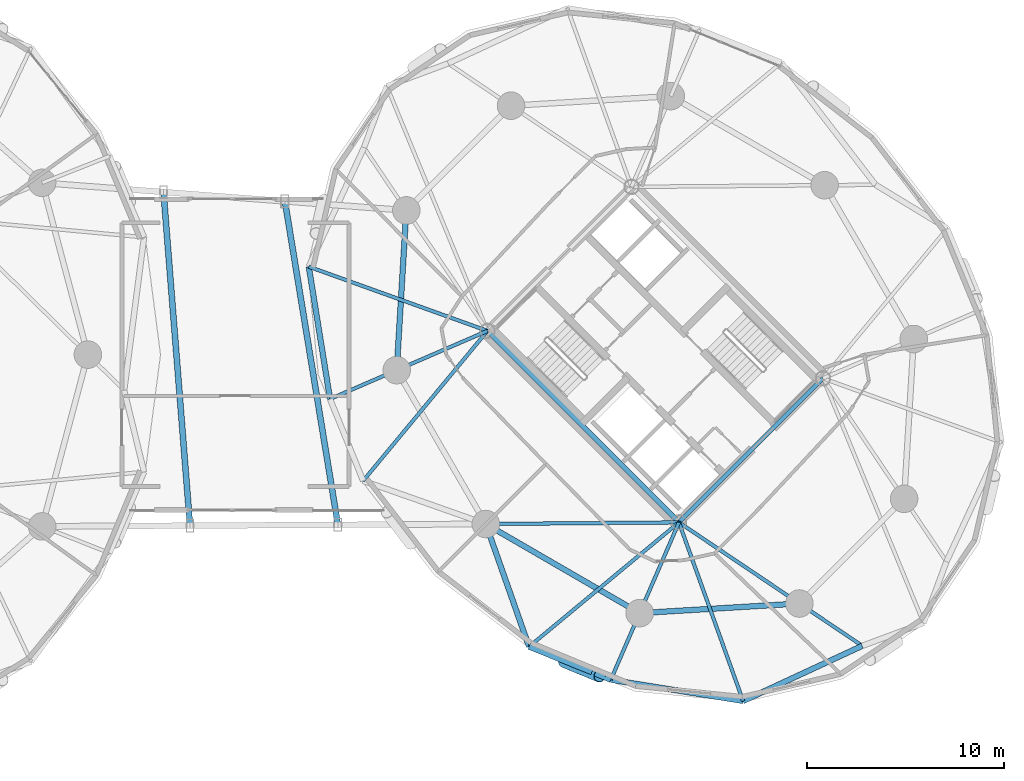
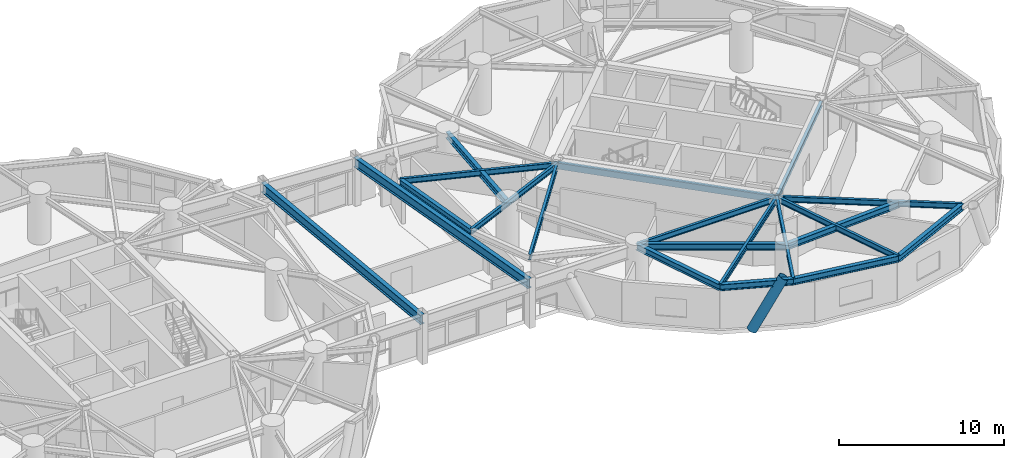
# One storey, part 5 of 19: 20 beams, 1 member.
"""IFC4 building model written with IfcOpenShell, lengths in metres."""

from ifc_helpers import new_model, si_unit, direction, frame, origin, origin_2d, place, context, subcontext, project, spatial, hollow_rectangle, hollow_circle, i_section, extrude, material, material_profile, profile_set, type_object, element, save


model = new_model("IFC4")

# Units and contexts
model_context = context("Model", 3, precision=1e-05, world=origin(), true_north=direction((0.0, 1.0)))
body_context = subcontext(model_context, "Body", "Model", "MODEL_VIEW")
ifc_project = project(units=[si_unit("LENGTHUNIT", "METRE"), si_unit("AREAUNIT", "SQUARE_METRE"), si_unit("VOLUMEUNIT", "CUBIC_METRE"), si_unit("PLANEANGLEUNIT", "RADIAN"), si_unit("MASSUNIT", "GRAM", prefix="KILO")], contexts=[model_context])

# Site, building, storey
site_placement = place(None, origin())
site = spatial("IfcSite", under=ifc_project, at=site_placement, CompositionType="ELEMENT")
building_placement = place(site_placement, origin())
building = spatial("IfcBuilding", under=site, at=building_placement, Name="Cununo Teusaquillo Station Towers", CompositionType="ELEMENT")
storey_placement = place(building_placement, frame((0.0, 0.0, 132.8798828125)))
storey = spatial("IfcBuildingStorey", under=building, at=storey_placement, Name="L42", CompositionType="ELEMENT", Elevation=132.8798828125)

# Beams
ifc_material_1 = material(Name="Steel EN 10025-2 S355J2", Category="steel")
ifc_material_profile_1 = material_profile(ifc_material_1, i_section(OverallWidth=0.300048828125, OverallDepth=0.699951171875, WebThickness=0.01708984375, FlangeThickness=0.031982421875, FilletRadius=0.027099609375, at=origin_2d()), Name="HEB 700")
ifc_profile_set_1 = profile_set([ifc_material_profile_1], Name="Steel EN 10025-2 S355J2")
beam_type_1 = type_object("IfcBeamType", Name="BM-BRG-FLR", PredefinedType="BEAM", material=ifc_profile_set_1)
beam_1_placement = place(storey_placement, frame((33.862548828125, 15.81201171875, 3.090087890625), z_axis=(-0.079188777853, 0.996859637794, 0.0), x_axis=(-0.996859637794, -0.079188777853, 0.0)))
element("IfcBeam", 1, at=beam_1_placement, inside=storey, type_object=beam_type_1, Name="L42 Mid-Bridge Transverse Floor Girder 1", PredefinedType="BEAM", context=body_context, shape_type="SweptSolid", body=[
    extrude(i_section(OverallWidth=0.300048828125, OverallDepth=0.699951171875, WebThickness=0.01708984375, FlangeThickness=0.031982421875, FilletRadius=0.027099609375, at=origin_2d()), origin(), (0.0, 0.0, 1.0), 17.0029296875),
])
beam_2_placement = place(storey_placement, frame((41.377685546875, 15.8525390625, 3.090087890625), z_axis=(-0.161629984279, 0.986851431666, 0.0), x_axis=(-0.986851431666, -0.161629984279, 0.0)))
element("IfcBeam", 2, at=beam_2_placement, inside=storey, type_object=beam_type_1, Name="L42 Mid-Bridge Transverse Floor Girder 2", PredefinedType="BEAM", context=body_context, shape_type="SweptSolid", body=[
    extrude(i_section(OverallWidth=0.300048828125, OverallDepth=0.699951171875, WebThickness=0.01708984375, FlangeThickness=0.031982421875, FilletRadius=0.027099609375, at=origin_2d()), origin(), (0.0, 0.0, 1.0), 16.66064453125),
])
ifc_material_2 = material(Name="Steel EN 10025-2 S355J2", Category="steel")
ifc_material_profile_2 = material_profile(ifc_material_2, hollow_rectangle(XDim=0.25, YDim=0.449951171875, WallThickness=0.01611328125, at=origin_2d()), Name="RHS 450x250x16")
ifc_profile_set_2 = profile_set([ifc_material_profile_2], Name="Steel EN 10025-2 S355J2")
beam_type_2 = type_object("IfcBeamType", Name="BM-COUP-1", PredefinedType="USERDEFINED", material=ifc_profile_set_2)
beam_3_placement = place(storey_placement, frame((58.70556640625, 15.975830078125, 3.215087890625), z_axis=(-0.707106781187, 0.707106781187, 0.0), x_axis=(-0.707106781187, -0.707106781187, 0.0)))
element("IfcBeam", 3, at=beam_3_placement, inside=storey, type_object=beam_type_2, Name="L42 Tower B Core Beam 1", ObjectType="COUPLING BEAM", PredefinedType="USERDEFINED", context=body_context, shape_type="SweptSolid", body=[
    extrude(hollow_rectangle(XDim=0.25, YDim=0.449951171875, WallThickness=0.01611328125, at=origin_2d()), origin(), (0.0, 0.0, 1.0), 13.760009765625),
])
ifc_material_3 = material(Name="Steel ASTM A572 Grade 50", Category="steel")
ifc_material_profile_3 = material_profile(ifc_material_3, i_section(OverallWidth=0.180908203125, OverallDepth=0.4169921875, WebThickness=0.010986328125, FlangeThickness=0.018310546875, FilletRadius=0.012939453125, at=origin_2d()), Name="W16X57")
ifc_profile_set_3 = profile_set([ifc_material_profile_3], Name="Steel ASTM A572 Grade 50")
beam_type_3 = type_object("IfcBeamType", Name="BM-JOIST-1", PredefinedType="JOIST", material=ifc_profile_set_3)
beam_4_placement = place(storey_placement, frame((48.975830078125, 25.70556640625, 3.231689453125), z_axis=(-0.941082771055, 0.338176312038, 0.0), x_axis=(-0.338176312038, -0.941082771055, 0.0)))
element("IfcBeam", 4, at=beam_4_placement, inside=storey, type_object=beam_type_3, Name="L42 Tower B Radial Spandrel Joist V07", PredefinedType="JOIST", context=body_context, shape_type="SweptSolid", body=[
    extrude(i_section(OverallWidth=0.180908203125, OverallDepth=0.4169921875, WebThickness=0.010986328125, FlangeThickness=0.018310546875, FilletRadius=0.012939453125, at=origin_2d()), origin(), (0.0, 0.0, 1.0), 9.646484375),
])
for number, where, z_axis, x_axis, name in (
    (5, (48.975830078125, 25.70556640625, 3.231689453125), (-0.638372238196, -0.769727799615, 0.0), (0.769727799615, -0.638372238196, 0.0), "L42 Tower B Radial Spandrel Joist V09"),
    (6, (58.70556640625, 15.975830078125, 3.231689453125), (-0.769727799615, -0.638372238196, 0.0), (0.638372238196, -0.769727799615, 0.0), "L42 Tower B Radial Spandrel Joist V11"),
):
    element("IfcBeam", number, at=place(storey_placement, frame(where, z_axis=z_axis, x_axis=x_axis)), inside=storey, type_object=beam_type_3, Name=name, PredefinedType="JOIST", context=body_context, shape_type="SweptSolid", body=[
        extrude(i_section(OverallWidth=0.180908203125, OverallDepth=0.4169921875, WebThickness=0.010986328125, FlangeThickness=0.018310546875, FilletRadius=0.012939453125, at=origin_2d()), origin(), (0.0, 0.0, 1.0), 9.895263671875),
    ])
beam_5_placement = place(storey_placement, frame((58.70556640625, 15.975830078125, 3.231689453125), z_axis=(0.338176312038, -0.941082771055, 0.0), x_axis=(0.941082771055, 0.338176312038, 0.0)))
element("IfcBeam", 7, at=beam_5_placement, inside=storey, type_object=beam_type_3, Name="L42 Tower B Radial Spandrel Joist V13", PredefinedType="JOIST", context=body_context, shape_type="SweptSolid", body=[
    extrude(i_section(OverallWidth=0.180908203125, OverallDepth=0.4169921875, WebThickness=0.010986328125, FlangeThickness=0.018310546875, FilletRadius=0.012939453125, at=origin_2d()), origin(), (0.0, 0.0, 1.0), 9.646484375),
])
ifc_material_4 = material(Name="Steel ASTM A572 Grade 50", Category="steel")
ifc_material_profile_4 = material_profile(ifc_material_4, i_section(OverallWidth=0.2041015625, OverallDepth=0.35009765625, WebThickness=0.008544921875, FlangeThickness=0.01513671875, FilletRadius=0.011962890625, at=origin_2d()), Name="W14X48")
ifc_profile_set_4 = profile_set([ifc_material_profile_4], Name="Steel ASTM A572 Grade 50")
beam_type_4 = type_object("IfcBeamType", Name="BM-LINTEL-1", PredefinedType="LINTEL", material=ifc_profile_set_4)
beam_6_placement = place(storey_placement, frame((58.70556640625, 15.975830078125, 3.26513671875), z_axis=(0.707106781187, 0.707106781187, 0.0), x_axis=(-0.707106781187, 0.707106781187, 0.0)))
element("IfcBeam", 8, at=beam_6_placement, inside=storey, type_object=beam_type_4, Name="L42 Tower B Core Beam 3", PredefinedType="LINTEL", context=body_context, shape_type="SweptSolid", body=[
    extrude(i_section(OverallWidth=0.2041015625, OverallDepth=0.35009765625, WebThickness=0.008544921875, FlangeThickness=0.01513671875, FilletRadius=0.011962890625, at=origin_2d()), origin(), (0.0, 0.0, 1.0), 10.35009765625),
])
ifc_material_5 = material(Name="Steel ASTM A572 Grade 50", Category="steel")
ifc_material_profile_5 = material_profile(ifc_material_5, i_section(OverallWidth=0.180908203125, OverallDepth=0.4169921875, WebThickness=0.010986328125, FlangeThickness=0.018310546875, FilletRadius=0.012939453125, at=origin_2d()), Name="W16X57")
ifc_profile_set_5 = profile_set([ifc_material_profile_5], Name="Steel ASTM A572 Grade 50")
beam_type_5 = type_object("IfcBeamType", Name="BM-RAD-G2", PredefinedType="BEAM", material=ifc_profile_set_5)
beam_7_placement = place(storey_placement, frame((48.975830078125, 25.70556640625, 3.231689453125), z_axis=(-0.917654733344, -0.397378648609, 0.0), x_axis=(0.397378648609, -0.917654733344, 0.0)))
element("IfcBeam", 9, at=beam_7_placement, inside=storey, type_object=beam_type_5, Name="L42 Tower B Continuous Overhanging Radial Girder 05", PredefinedType="BEAM", context=body_context, shape_type="SweptSolid", body=[
    extrude(i_section(OverallWidth=0.180908203125, OverallDepth=0.4169921875, WebThickness=0.010986328125, FlangeThickness=0.018310546875, FilletRadius=0.012939453125, at=origin_2d()), origin(), (0.0, 0.0, 1.0), 8.71484375),
])
beam_8_placement = place(storey_placement, frame((58.70556640625, 15.975830078125, 3.231689453125), z_axis=(-0.999964431382, -0.008434214327, 0.0), x_axis=(0.008434214327, -0.999964431382, 0.0)))
element("IfcBeam", 10, at=beam_8_placement, inside=storey, type_object=beam_type_5, Name="L42 Tower B Radial Girder 06A", PredefinedType="BEAM", context=body_context, shape_type="SweptSolid", body=[
    extrude(i_section(OverallWidth=0.180908203125, OverallDepth=0.4169921875, WebThickness=0.010986328125, FlangeThickness=0.018310546875, FilletRadius=0.012939453125, at=origin_2d()), origin(), (0.0, 0.0, 1.0), 9.812744140625),
])
beam_9_placement = place(storey_placement, frame((58.70556640625, 15.975830078125, 3.231689453125), z_axis=(-0.397378648609, -0.917654733344, 0.0), x_axis=(0.917654733344, -0.397378648609, 0.0)))
element("IfcBeam", 11, at=beam_9_placement, inside=storey, type_object=beam_type_5, Name="L42 Tower B Continuous Overhanging Radial Girder 07", PredefinedType="BEAM", context=body_context, shape_type="SweptSolid", body=[
    extrude(i_section(OverallWidth=0.180908203125, OverallDepth=0.4169921875, WebThickness=0.010986328125, FlangeThickness=0.018310546875, FilletRadius=0.012939453125, at=origin_2d()), origin(), (0.0, 0.0, 1.0), 8.71484375),
])
beam_10_placement = place(storey_placement, frame((58.70556640625, 15.975830078125, 3.231689453125), z_axis=(0.82945583878, -0.558572297481, 0.0), x_axis=(0.558572297481, 0.82945583878, 0.0)))
element("IfcBeam", 12, at=beam_10_placement, inside=storey, type_object=beam_type_5, Name="L42 Tower B Continuous Overhanging Radial Girder 08", PredefinedType="BEAM", context=body_context, shape_type="SweptSolid", body=[
    extrude(i_section(OverallWidth=0.180908203125, OverallDepth=0.4169921875, WebThickness=0.010986328125, FlangeThickness=0.018310546875, FilletRadius=0.012939453125, at=origin_2d()), origin(), (0.0, 0.0, 1.0), 11.22998046875),
])
ifc_material_6 = material(Name="Steel ASTM A572 Grade 50", Category="steel")
ifc_material_profile_6 = material_profile(ifc_material_6, i_section(OverallWidth=0.280029296875, OverallDepth=0.462890625, WebThickness=0.0107421875, FlangeThickness=0.017333984375, FilletRadius=0.013916015625, at=origin_2d()), Name="W18X76")
ifc_profile_set_6 = profile_set([ifc_material_profile_6], Name="Steel ASTM A572 Grade 50")
beam_type_6 = type_object("IfcBeamType", Name="BM-RING-Z2", PredefinedType="SPANDREL", material=ifc_profile_set_6)
beam_11_placement = place(storey_placement, frame((44.853759765625, 31.826904296875, 3.20849609375), z_axis=(-0.06012979176, -0.998190567048, 0.0), x_axis=(0.998190567048, -0.06012979176, 0.0)))
element("IfcBeam", 13, at=beam_11_placement, inside=storey, type_object=beam_type_6, Name="L42 Tower B Structural Column Ring Girder 04", PredefinedType="SPANDREL", context=body_context, shape_type="SweptSolid", body=[
    extrude(i_section(OverallWidth=0.280029296875, OverallDepth=0.462890625, WebThickness=0.0107421875, FlangeThickness=0.017333984375, FilletRadius=0.013916015625, at=origin_2d()), origin(), (0.0, 0.0, 1.0), 8.132568359375),
])
beam_12_placement = place(storey_placement, frame((48.89306640625, 15.89306640625, 3.20849609375), z_axis=(0.865267103202, -0.501311121078, 0.0), x_axis=(0.501311121078, 0.865267103202, 0.0)))
element("IfcBeam", 14, at=beam_12_placement, inside=storey, type_object=beam_type_6, Name="L42 Tower B Structural Column Ring Girder 06", PredefinedType="SPANDREL", context=body_context, shape_type="SweptSolid", body=[
    extrude(i_section(OverallWidth=0.280029296875, OverallDepth=0.462890625, WebThickness=0.0107421875, FlangeThickness=0.017333984375, FilletRadius=0.013916015625, at=origin_2d()), origin(), (0.0, 0.0, 1.0), 9.032958984375),
])
beam_13_placement = place(storey_placement, frame((56.708984375, 11.36474609375, 3.20849609375), z_axis=(0.998190567048, 0.06012979176, 0.0), x_axis=(-0.06012979176, 0.998190567048, 0.0)))
element("IfcBeam", 15, at=beam_13_placement, inside=storey, type_object=beam_type_6, Name="L42 Tower B Structural Column Ring Girder 07", PredefinedType="SPANDREL", context=body_context, shape_type="SweptSolid", body=[
    extrude(i_section(OverallWidth=0.280029296875, OverallDepth=0.462890625, WebThickness=0.0107421875, FlangeThickness=0.017333984375, FilletRadius=0.013916015625, at=origin_2d()), origin(), (0.0, 0.0, 1.0), 8.132568359375),
])
beam_14_placement = place(storey_placement, frame((39.897705078125, 28.9677734375, 3.20849609375), z_axis=(0.158671232312, -0.987331474246, 0.0), x_axis=(0.987331474246, 0.158671232312, 0.0)))
element("IfcBeam", 16, at=beam_14_placement, inside=storey, type_object=beam_type_6, Name="L42 Tower B Spandrel Ring Beam 08", PredefinedType="SPANDREL", context=body_context, shape_type="SweptSolid", body=[
    extrude(i_section(OverallWidth=0.280029296875, OverallDepth=0.462890625, WebThickness=0.0107421875, FlangeThickness=0.017333984375, FilletRadius=0.013916015625, at=origin_2d()), origin(), (0.0, 0.0, 1.0), 6.8115234375),
])
beam_15_placement = place(storey_placement, frame((48.89306640625, 15.89306640625, 3.20849609375), z_axis=(0.332217227276, -0.943202901767, 0.0), x_axis=(0.943202901767, 0.332217227276, 0.0)))
element("IfcBeam", 17, at=beam_15_placement, inside=storey, type_object=beam_type_6, Name="L42 Tower B Spandrel Ring Beam 11", PredefinedType="SPANDREL", context=body_context, shape_type="SweptSolid", body=[
    extrude(i_section(OverallWidth=0.280029296875, OverallDepth=0.462890625, WebThickness=0.0107421875, FlangeThickness=0.017333984375, FilletRadius=0.013916015625, at=origin_2d()), origin(), (0.0, 0.0, 1.0), 6.609619140625),
])
beam_16_placement = place(storey_placement, frame((51.0888671875, 9.658935546875, 3.20849609375), z_axis=(0.927007712072, -0.375042266631, 0.0), x_axis=(0.375042266631, 0.927007712072, 0.0)))
element("IfcBeam", 18, at=beam_16_placement, inside=storey, type_object=beam_type_6, Name="L42 Tower B Spandrel Ring Beam 12", PredefinedType="SPANDREL", context=body_context, shape_type="SweptSolid", body=[
    extrude(i_section(OverallWidth=0.280029296875, OverallDepth=0.462890625, WebThickness=0.0107421875, FlangeThickness=0.017333984375, FilletRadius=0.013916015625, at=origin_2d()), origin(), (0.0, 0.0, 1.0), 4.480712890625),
])
beam_17_placement = place(storey_placement, frame((55.242431640625, 7.978515625, 3.20849609375), z_axis=(0.987331474246, -0.158671232312, 0.0), x_axis=(0.158671232312, 0.987331474246, 0.0)))
element("IfcBeam", 19, at=beam_17_placement, inside=storey, type_object=beam_type_6, Name="L42 Tower B Spandrel Ring Beam 13", PredefinedType="SPANDREL", context=body_context, shape_type="SweptSolid", body=[
    extrude(i_section(OverallWidth=0.280029296875, OverallDepth=0.462890625, WebThickness=0.0107421875, FlangeThickness=0.017333984375, FilletRadius=0.013916015625, at=origin_2d()), origin(), (0.0, 0.0, 1.0), 6.8115234375),
])
beam_18_placement = place(storey_placement, frame((61.9677734375, 6.897705078125, 3.20849609375), z_axis=(0.907275870354, 0.420535961689, 0.0), x_axis=(-0.420535961689, 0.907275870354, 0.0)))
element("IfcBeam", 20, at=beam_18_placement, inside=storey, type_object=beam_type_6, Name="L42 Tower B Spandrel Ring Beam 14", PredefinedType="SPANDREL", context=body_context, shape_type="SweptSolid", body=[
    extrude(i_section(OverallWidth=0.280029296875, OverallDepth=0.462890625, WebThickness=0.0107421875, FlangeThickness=0.017333984375, FilletRadius=0.013916015625, at=origin_2d()), origin(), (0.0, 0.0, 1.0), 6.671142578125),
])

# Member
ifc_material_7 = material(Name="Steel EN 10025-2 S355J2", Category="steel")
ifc_material_profile_7 = material_profile(ifc_material_7, hollow_circle(Radius=0.330078125, WallThickness=0.02490234375, at=origin_2d()), Name="CHS 660x25")
ifc_profile_set_7 = profile_set([ifc_material_profile_7], Name="Steel EN 10025-2 S355J2")
member_type = type_object("IfcMemberType", Name="MBR-DIAG-Z2", PredefinedType="BRACE", material=ifc_profile_set_7)
member_placement = place(storey_placement, frame((52.885498046875, 8.92041015625, -0.139892578125), z_axis=(0.428067910184, -0.175986059841, 0.886446146707), x_axis=(0.380237656053, 0.924888817599, 0.0)))
element("IfcMember", 21, at=member_placement, inside=storey, type_object=member_type, Name="L42 Tower B Folded-Zigzag Diagrid Tube C11", PredefinedType="BRACE", context=body_context, shape_type="SweptSolid", body=[
    extrude(hollow_circle(Radius=0.330078125, WallThickness=0.02490234375, at=origin_2d()), origin(), (0.0, 0.0, 1.0), 4.196533203125),
])

save(model, "model.ifc")
